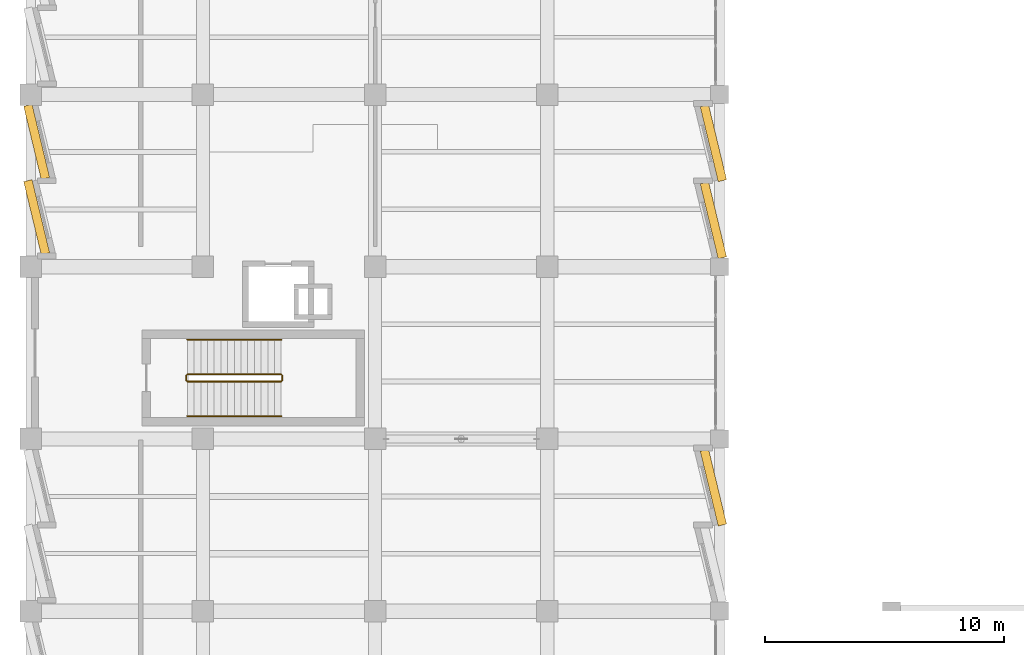
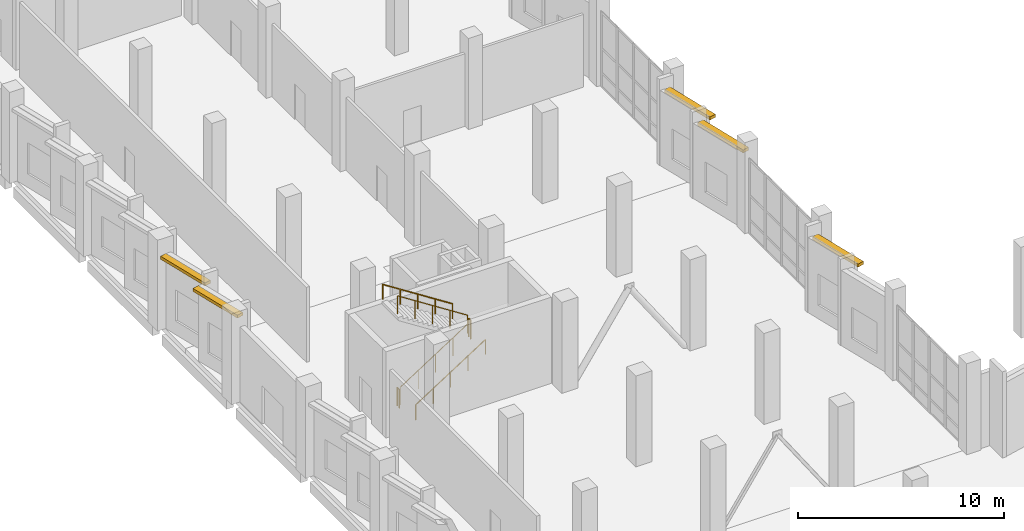
# One storey, part 122 of 137: 6 railings, 5 shading devices.
"""IFC4 building model written with IfcOpenShell, lengths in metres."""

import ifcopenshell
import ifcopenshell.guid

model = None  # the IFC model being written
_history = None  # IfcOwnerHistory: only IFC2X3 demands one
_inside = {}  # id of a spatial element -> (the spatial element, [elements in it])
_under = {}  # id of a project, library or spatial element -> (it, [spatial elements below it])
_declared = {}  # id of a project -> (the project, [libraries it declares])
_typed = {}  # id of a type object -> (the type object, [elements of that type])
_made_of = {}  # id of a material, layer set ... -> (it, [elements and type objects made of it])


def new_model(schema):
    """Start an empty IFC model of exactly this schema.

    Asked for "IFC4X3", IfcOpenShell would pick the latest addendum, in which some entities
    have other attributes; the version numbers below select the first issue.
    IFC2X3 requires an IfcOwnerHistory on every rooted entity: one is made here for all.
    """
    global model, _history
    if schema == "IFC4X3":
        model = ifcopenshell.file(schema_version=(4, 3, 0, 0))
    else:
        model = ifcopenshell.file(schema=schema)
    _inside.clear()
    _under.clear()
    _declared.clear()
    _typed.clear()
    _made_of.clear()
    _history = None
    if model.schema == "IFC2X3":
        org = make("IfcOrganization", Name="unknown")
        user = make(
            "IfcPersonAndOrganization",
            ThePerson=make("IfcPerson", FamilyName="unknown"),
            TheOrganization=org,
        )
        app = make(
            "IfcApplication",
            ApplicationDeveloper=org,
            Version="unknown",
            ApplicationFullName="unknown",
            ApplicationIdentifier="unknown",
        )
        _history = make(
            "IfcOwnerHistory",
            OwningUser=user,
            OwningApplication=app,
            ChangeAction="ADDED",
            CreationDate=0,
        )
    return model


def make(cls, **values):
    """One entity of the class cls with the attributes given. An attribute that is None is left unset."""
    return model.create_entity(
        cls, **{name: value for name, value in values.items() if value is not None}
    )


def rooted(cls, **values):
    """An entity with a GlobalId (a new one), such as an element, a storey or a relation."""
    return make(cls, GlobalId=ifcopenshell.guid.new(), OwnerHistory=_history, **values)


def si_unit(unit_type, name, prefix=None):
    """IfcSIUnit, for example si_unit("LENGTHUNIT", "METRE", prefix="MILLI")."""
    return make("IfcSIUnit", UnitType=unit_type, Prefix=prefix, Name=name)


def assignment(units):
    """IfcUnitAssignment: the units of a project."""
    return None if units is None else make("IfcUnitAssignment", Units=units)


def point(xyz):
    """IfcCartesianPoint."""
    return None if xyz is None else make("IfcCartesianPoint", Coordinates=xyz)


def direction(xyz):
    """IfcDirection."""
    return None if xyz is None else make("IfcDirection", DirectionRatios=xyz)


def frame(location, z_axis=None, x_axis=None):
    """IfcAxis2Placement3D, a coordinate frame: its origin and axes. An axis left out is left unset."""
    return make(
        "IfcAxis2Placement3D",
        Location=point(location),
        Axis=direction(z_axis),
        RefDirection=direction(x_axis),
    )


def frame_2d(location, x_axis=None):
    """IfcAxis2Placement2D, a coordinate frame in the plane: its origin and x axis."""
    return make(
        "IfcAxis2Placement2D", Location=point(location), RefDirection=direction(x_axis)
    )


def origin():
    """The frame at (0, 0, 0) with its axes left unset."""
    return frame((0.0, 0.0, 0.0))


def origin_2d():
    """The frame at (0, 0) in the plane with its x axis left unset."""
    return frame_2d((0.0, 0.0))


def place(relative_to, where):
    """IfcLocalPlacement: puts the frame where relative to a parent placement (None: the world)."""
    return make(
        "IfcLocalPlacement", PlacementRelTo=relative_to, RelativePlacement=where
    )


def context(
    kind, dimensions, precision=None, world=None, true_north=None, identifier=None
):
    """IfcGeometricRepresentationContext, for example the 3D "Model" context."""
    return make(
        "IfcGeometricRepresentationContext",
        ContextIdentifier=identifier,
        ContextType=kind,
        CoordinateSpaceDimension=dimensions,
        Precision=precision,
        WorldCoordinateSystem=world,
        TrueNorth=true_north,
    )


def subcontext(parent, identifier, kind, view, scale=None):
    """IfcGeometricRepresentationSubContext, for example "Body" below "Model"."""
    return make(
        "IfcGeometricRepresentationSubContext",
        ContextIdentifier=identifier,
        ContextType=kind,
        ParentContext=parent,
        TargetScale=scale,
        TargetView=view,
    )


def project(units=None, contexts=None):
    """IfcProject with its units and contexts."""
    return rooted(
        "IfcProject",
        Name="project",
        RepresentationContexts=contexts,
        UnitsInContext=assignment(units),
    )


def spatial(cls, under=None, at=None, **own):
    """A site, building, storey or space (cls), placed at a placement, below another one or the project."""
    s = rooted(cls, ObjectPlacement=at, **own)
    if under is not None:
        _under.setdefault(under.id(), (under, []))[1].append(s)
    return s


def profile(cls, at=None, kind="AREA", **sizes):
    """A parametric profile (cls). Its sizes go by their IFC names, for example OverallWidth=200.0."""
    return make(cls, ProfileType=kind, Position=at, **sizes)


def rectangle(**sizes):
    """IfcRectangleProfileDef."""
    return profile("IfcRectangleProfileDef", **sizes)


def circle(**sizes):
    """IfcCircleProfileDef."""
    return profile("IfcCircleProfileDef", **sizes)


def extrude(swept, where, along, depth):
    """IfcExtrudedAreaSolid: the profile swept, set in the frame where, extruded along a direction by depth."""
    return make(
        "IfcExtrudedAreaSolid",
        SweptArea=swept,
        Position=where,
        ExtrudedDirection=direction(along),
        Depth=depth,
    )


def shape(context_of_items, identifier, shape_type, items):
    """IfcShapeRepresentation: the items that make up one representation, for example the "Body"."""
    return make(
        "IfcShapeRepresentation",
        ContextOfItems=context_of_items,
        RepresentationIdentifier=identifier,
        RepresentationType=shape_type,
        Items=items,
    )


def material(Name=None, Category=None):
    """IfcMaterial."""
    return make("IfcMaterial", Name=Name, Category=Category)


def layer(
    of_material, thickness, ventilated=None, Name=None, Category=None, Priority=None
):
    """IfcMaterialLayer: one layer of a wall or slab, of a material (None: an air gap)."""
    return make(
        "IfcMaterialLayer",
        Material=of_material,
        LayerThickness=thickness,
        IsVentilated=ventilated,
        Name=Name,
        Category=Category,
        Priority=Priority,
    )


def layer_set(layers, Name=None):
    """IfcMaterialLayerSet."""
    return make("IfcMaterialLayerSet", MaterialLayers=layers, LayerSetName=Name)


def made_of(thing, what):
    """Note that an element or type object is made of a material, layer set ...; save() writes the relation."""
    if what is not None:
        _made_of.setdefault(what.id(), (what, []))[1].append(thing)
    return thing


def type_object(cls, material=None, **own):
    """A type object (cls), such as IfcWallType, which elements share."""
    return made_of(rooted(cls, **own), material)


def element(
    cls,
    number,
    at=None,
    inside=None,
    cuts=None,
    type_object=None,
    material=None,
    context=None,
    identifier="Body",
    shape_type=None,
    held_by="IfcProductDefinitionShape",
    body=None,
    shapes=None,
    **own,
):
    """One element of the class cls, such as IfcWall. Its Tag is "e" and its number.

    at: its placement. inside: the storey or other place that contains it. cuts: it is an
    opening in that element (IfcRelVoidsElement). A single representation is given by context,
    identifier, shape_type and body (its items); several are given by shapes. held_by: the class
    of the entity that holds the representations. save() writes the other relations.
    """
    e = rooted(cls, Tag="e%d" % number, ObjectPlacement=at, **own)
    if body is not None:
        shapes = [shape(context, identifier, shape_type, body)]
    if shapes is not None:
        e.Representation = make(held_by, Representations=shapes)
    if inside is not None:
        _inside.setdefault(inside.id(), (inside, []))[1].append(e)
    if cuts is not None:
        rooted(
            "IfcRelVoidsElement", RelatingBuildingElement=cuts, RelatedOpeningElement=e
        )
    if type_object is not None:
        _typed.setdefault(type_object.id(), (type_object, []))[1].append(e)
    return made_of(e, material)


def aggregate(whole, parts):
    """IfcRelAggregates: a whole, such as a stair, and the parts it consists of."""
    return rooted("IfcRelAggregates", RelatingObject=whole, RelatedObjects=parts)


def save(model, path):
    """Write the relations noted so far, then the file.

    IfcRelAggregates (storeys below a building ...), IfcRelContainedInSpatialStructure (elements
    in a storey), IfcRelDefinesByType, IfcRelAssociatesMaterial and IfcRelDeclares: one each for
    every whole, place, type object, material and project.
    """
    for whole, parts in _under.values():
        aggregate(whole, parts)
    for where, things in _inside.values():
        rooted(
            "IfcRelContainedInSpatialStructure",
            RelatedElements=things,
            RelatingStructure=where,
        )
    for kind, things in _typed.values():
        rooted("IfcRelDefinesByType", RelatedObjects=things, RelatingType=kind)
    for what, things in _made_of.values():
        rooted("IfcRelAssociatesMaterial", RelatedObjects=things, RelatingMaterial=what)
    for by, libraries in _declared.values():
        rooted("IfcRelDeclares", RelatingContext=by, RelatedDefinitions=libraries)
    model.write(path)


model = new_model("IFC4")

# Units and contexts
model_context = context("Model", 3, precision=1e-05, world=origin(), true_north=direction((0.0, 1.0)))
body_context = subcontext(model_context, "Body", "Model", "MODEL_VIEW")
ifc_project = project(units=[si_unit("LENGTHUNIT", "METRE"), si_unit("AREAUNIT", "SQUARE_METRE"), si_unit("VOLUMEUNIT", "CUBIC_METRE"), si_unit("PLANEANGLEUNIT", "RADIAN"), si_unit("MASSUNIT", "GRAM", prefix="KILO")], contexts=[model_context])

# Site, building, storey
site_placement = place(None, origin())
site = spatial("IfcSite", under=ifc_project, at=site_placement, CompositionType="ELEMENT")
building_placement = place(site_placement, origin())
building = spatial("IfcBuilding", under=site, at=building_placement, Name="Kalmorath City Hall", CompositionType="ELEMENT")
storey_placement = place(building_placement, origin())
storey = spatial("IfcBuildingStorey", under=building, at=storey_placement, Name="L00", CompositionType="ELEMENT", Elevation=0.0)

# Shading devices
ifc_material_1 = material(Name="Precast concrete C40/50", Category="concrete")
ifc_layer = layer(ifc_material_1, 0.179931640625)
ifc_layer_set = layer_set([ifc_layer], Name="Precast concrete C40/50")
shading_device_type = type_object("IfcShadingDeviceType", Name="Precast sawtooth brow sunshade 350", PredefinedType="USERDEFINED", material=ifc_layer_set)
for number, where, z_axis, x_axis, name in (
    (1, (0.246826171875, 59.671630859375, 4.2509765625), (0.0, 0.0, 1.0), (-0.233445363856, 0.972369920398, 0.0), "L00 precast sawtooth hood #13"),
    (2, (0.246826171875, 62.82080078125, 4.2509765625), (0.0, 0.0, 1.0), (-0.233445363856, 0.972369920398, 0.0), "L00 precast sawtooth hood #14"),
):
    element("IfcShadingDevice", number, at=place(storey_placement, frame(where, z_axis=z_axis, x_axis=x_axis)), inside=storey, type_object=shading_device_type, Name=name, ObjectType="SUNSHADE", PredefinedType="USERDEFINED", context=body_context, shape_type="SweptSolid", body=[
        extrude(rectangle(XDim=3.1435546875, YDim=0.360107421875, at=origin_2d()), origin(), (0.0, 0.0, 1.0), 0.179931640625),
    ])
for number, where, z_axis, x_axis, name in (
    (3, (28.544189453125, 62.765869140625, 4.2509765625), (0.0, 0.0, 1.0), (0.233445363856, -0.972369920398, 0.0), "L00 precast sawtooth hood #81"),
    (4, (28.544189453125, 59.541748046875, 4.2509765625), (0.0, 0.0, 1.0), (0.233445363856, -0.972369920398, 0.0), "L00 precast sawtooth hood #82"),
    (5, (28.544189453125, 48.36572265625, 4.2509765625), (0.0, 0.0, 1.0), (0.233445363856, -0.972369920398, 0.0), "L00 precast sawtooth hood #83"),
):
    element("IfcShadingDevice", number, at=place(storey_placement, frame(where, z_axis=z_axis, x_axis=x_axis)), inside=storey, type_object=shading_device_type, Name=name, ObjectType="SUNSHADE", PredefinedType="USERDEFINED", context=body_context, shape_type="SweptSolid", body=[
        extrude(rectangle(XDim=3.220703125, YDim=0.360107421875, at=origin_2d()), origin(), (0.0, 0.0, 1.0), 0.179931640625),
    ])

# Railings
ifc_material_2 = material(Name="Painted steel guardrail", Category="steel")
railing_type_1 = type_object("IfcRailingType", Name="Protected stair guardrail 1100", PredefinedType="GUARDRAIL", material=ifc_material_2)
railing_1_placement = place(storey_placement, frame((6.550048828125, 52.800048828125, 0.179931640625)))
element("IfcRailing", 6, at=railing_1_placement, inside=storey, type_object=railing_type_1, Name="L00 ST-3 stair guard 1", PredefinedType="GUARDRAIL", context=body_context, shape_type="SweptSolid", body=[
    extrude(circle(Radius=0.02392578125, at=origin_2d()), frame((0.0, 0.0, 1.076171875), z_axis=(0.841171666519, 0.0, 0.540768182723), x_axis=(0.0, 1.0, 0.0)), (0.0, 0.0, 1.0), 4.66015625),
    extrude(circle(Radius=0.02099609375, at=origin_2d()), origin(), (0.0, 0.0, 1.0), 1.052001953125),
    extrude(circle(Radius=0.02099609375, at=origin_2d()), frame((0.97998046875, 0.0, 0.6298828125)), (0.0, 0.0, 1.0), 1.052001953125),
    extrude(circle(Radius=0.02099609375, at=origin_2d()), frame((1.9599609375, 0.0, 1.260009765625)), (0.0, 0.0, 1.0), 1.052001953125),
    extrude(circle(Radius=0.02099609375, at=origin_2d()), frame((2.93994140625, 0.0, 1.89013671875)), (0.0, 0.0, 1.0), 1.052001953125),
    extrude(circle(Radius=0.02099609375, at=origin_2d()), frame((3.919921875, 0.0, 2.52001953125)), (0.0, 0.0, 1.0), 1.052001953125),
])
railing_2_placement = place(storey_placement, frame((10.52001953125, 52.85009765625, 2.699951171875)))
element("IfcRailing", 7, at=railing_2_placement, inside=storey, type_object=railing_type_1, Name="L00 ST-3 stair guard 2", PredefinedType="GUARDRAIL", context=body_context, shape_type="SweptSolid", body=[
    extrude(circle(Radius=0.02392578125, at=origin_2d()), frame((0.0, 0.0, 1.076171875), z_axis=(0.0, 1.0, 0.0), x_axis=(-1.0, 0.0, 0.0)), (0.0, 0.0, 1.0), 0.199951171875),
    extrude(circle(Radius=0.02099609375, at=origin_2d()), origin(), (0.0, 0.0, 1.0), 1.052001953125),
    extrude(circle(Radius=0.02099609375, at=origin_2d()), frame((0.0, 0.199951171875, 0.0)), (0.0, 0.0, 1.0), 1.052001953125),
])
railing_3_placement = place(storey_placement, frame((10.469970703125, 53.10009765625, 2.8798828125)))
element("IfcRailing", 8, at=railing_3_placement, inside=storey, type_object=railing_type_1, Name="L00 ST-3 stair guard 3", PredefinedType="GUARDRAIL", context=body_context, shape_type="SweptSolid", body=[
    extrude(circle(Radius=0.02392578125, at=origin_2d()), frame((0.0, 0.0, 1.076171875), z_axis=(-0.841171666519, 0.0, 0.540768182723), x_axis=(0.0, -1.0, 0.0)), (0.0, 0.0, 1.0), 4.66015625),
    extrude(circle(Radius=0.02099609375, at=origin_2d()), origin(), (0.0, 0.0, 1.0), 1.052001953125),
    extrude(circle(Radius=0.02099609375, at=origin_2d()), frame((-0.97998046875, 0.0, 0.6298828125)), (0.0, 0.0, 1.0), 1.052001953125),
    extrude(circle(Radius=0.02099609375, at=origin_2d()), frame((-1.9599609375, 0.0, 1.260009765625)), (0.0, 0.0, 1.0), 1.052001953125),
    extrude(circle(Radius=0.02099609375, at=origin_2d()), frame((-2.93994140625, 0.0, 1.89013671875)), (0.0, 0.0, 1.0), 1.052001953125),
    extrude(circle(Radius=0.02099609375, at=origin_2d()), frame((-3.919921875, 0.0, 2.52001953125)), (0.0, 0.0, 1.0), 1.052001953125),
])
railing_4_placement = place(storey_placement, frame((6.5, 52.85009765625, 0.0)))
element("IfcRailing", 9, at=railing_4_placement, inside=storey, type_object=railing_type_1, Name="L00 ST-3 stair guard 4", PredefinedType="GUARDRAIL", context=body_context, shape_type="SweptSolid", body=[
    extrude(circle(Radius=0.02392578125, at=origin_2d()), frame((0.0, 0.0, 1.076171875), z_axis=(0.0, 1.0, 0.0), x_axis=(-1.0, 0.0, 0.0)), (0.0, 0.0, 1.0), 0.199951171875),
    extrude(circle(Radius=0.02099609375, at=origin_2d()), origin(), (0.0, 0.0, 1.0), 1.052001953125),
    extrude(circle(Radius=0.02099609375, at=origin_2d()), frame((0.0, 0.199951171875, 0.0)), (0.0, 0.0, 1.0), 1.052001953125),
])
ifc_material_3 = material(Name="Brushed stainless steel handrail", Category="steel")
railing_type_2 = type_object("IfcRailingType", Name="Stair pitch handrail 900", PredefinedType="HANDRAIL", material=ifc_material_3)
railing_5_placement = place(storey_placement, frame((6.550048828125, 51.35009765625, 0.179931640625)))
element("IfcRailing", 10, at=railing_5_placement, inside=storey, type_object=railing_type_2, Name="L00 ST-3 stair handrail 1", PredefinedType="HANDRAIL", context=body_context, shape_type="SweptSolid", body=[
    extrude(circle(Radius=0.02392578125, at=origin_2d()), frame((0.0, 0.0, 0.8759765625), z_axis=(0.841171666519, 0.0, 0.540768182723), x_axis=(0.0, 1.0, 0.0)), (0.0, 0.0, 1.0), 4.66015625),
    extrude(circle(Radius=0.02099609375, at=origin_2d()), origin(), (0.0, 0.0, 1.0), 0.851806640625),
    extrude(circle(Radius=0.02099609375, at=origin_2d()), frame((0.97998046875, 0.0, 0.6298828125)), (0.0, 0.0, 1.0), 0.851806640625),
    extrude(circle(Radius=0.02099609375, at=origin_2d()), frame((1.9599609375, 0.0, 1.260009765625)), (0.0, 0.0, 1.0), 0.851806640625),
    extrude(circle(Radius=0.02099609375, at=origin_2d()), frame((2.93994140625, 0.0, 1.89013671875)), (0.0, 0.0, 1.0), 0.851806640625),
    extrude(circle(Radius=0.02099609375, at=origin_2d()), frame((3.919921875, 0.0, 2.52001953125)), (0.0, 0.0, 1.0), 0.851806640625),
])
railing_6_placement = place(storey_placement, frame((10.469970703125, 54.550048828125, 2.8798828125)))
element("IfcRailing", 11, at=railing_6_placement, inside=storey, type_object=railing_type_2, Name="L00 ST-3 stair handrail 2", PredefinedType="HANDRAIL", context=body_context, shape_type="SweptSolid", body=[
    extrude(circle(Radius=0.02392578125, at=origin_2d()), frame((0.0, 0.0, 0.8759765625), z_axis=(-0.841171666519, 0.0, 0.540768182723), x_axis=(0.0, -1.0, 0.0)), (0.0, 0.0, 1.0), 4.66015625),
    extrude(circle(Radius=0.02099609375, at=origin_2d()), origin(), (0.0, 0.0, 1.0), 0.851806640625),
    extrude(circle(Radius=0.02099609375, at=origin_2d()), frame((-0.97998046875, 0.0, 0.6298828125)), (0.0, 0.0, 1.0), 0.851806640625),
    extrude(circle(Radius=0.02099609375, at=origin_2d()), frame((-1.9599609375, 0.0, 1.260009765625)), (0.0, 0.0, 1.0), 0.851806640625),
    extrude(circle(Radius=0.02099609375, at=origin_2d()), frame((-2.93994140625, 0.0, 1.89013671875)), (0.0, 0.0, 1.0), 0.851806640625),
    extrude(circle(Radius=0.02099609375, at=origin_2d()), frame((-3.919921875, 0.0, 2.52001953125)), (0.0, 0.0, 1.0), 0.851806640625),
])

save(model, "model.ifc")
